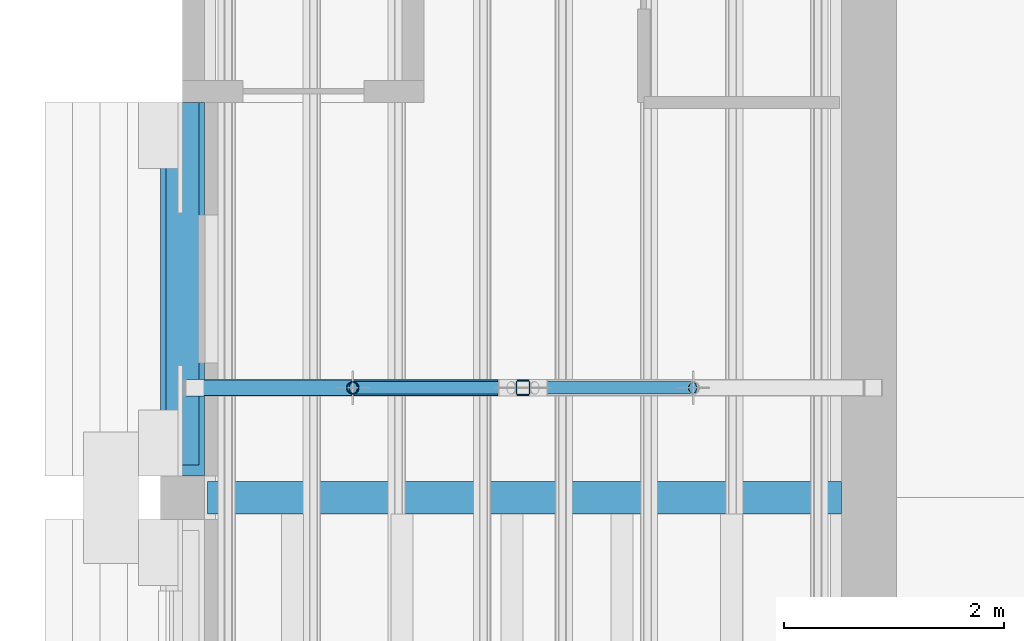
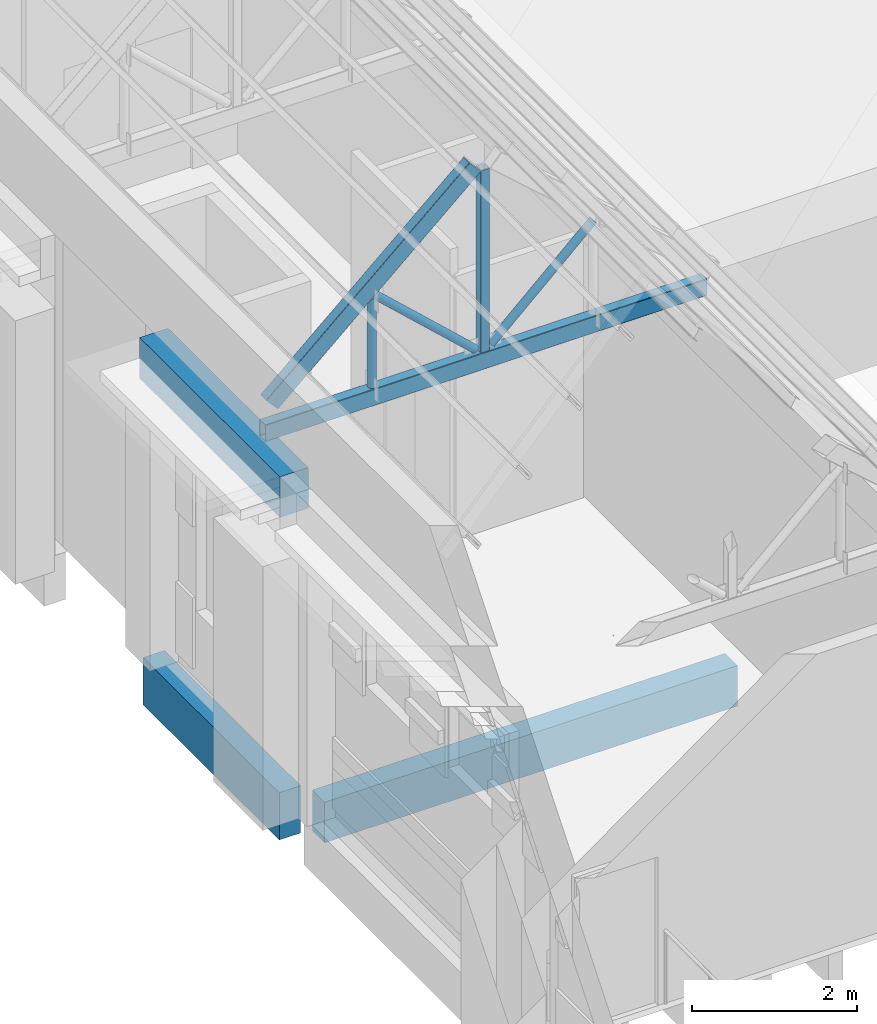
# One storey, part 37 of 118: 6 members, 3 beams.
"""IFC4 building model written with IfcOpenShell, lengths in metres."""

from ifc_helpers import new_model, si_unit, direction, frame, origin, origin_2d, place, context, subcontext, project, spatial, rectangle, hollow_rectangle, hollow_circle, extrude, material, material_profile, profile_set, type_object, element, save


model = new_model("IFC4")

# Units and contexts
model_context = context("Model", 3, precision=1e-05, world=origin(), true_north=direction((0.0, 1.0)))
body_context = subcontext(model_context, "Body", "Model", "MODEL_VIEW")
ifc_project = project(units=[si_unit("LENGTHUNIT", "METRE"), si_unit("AREAUNIT", "SQUARE_METRE"), si_unit("VOLUMEUNIT", "CUBIC_METRE"), si_unit("PLANEANGLEUNIT", "RADIAN"), si_unit("MASSUNIT", "GRAM", prefix="KILO")], contexts=[model_context])

# Site, building, storey
site_placement = place(None, origin())
site = spatial("IfcSite", under=ifc_project, at=site_placement, CompositionType="ELEMENT")
building_placement = place(site_placement, origin())
building = spatial("IfcBuilding", under=site, at=building_placement, Name="Saffron Lane Theatres", CompositionType="ELEMENT")
storey_placement = place(building_placement, frame((0.0, 0.0, 16.5)))
storey = spatial("IfcBuildingStorey", under=building, at=storey_placement, Name="L03", CompositionType="ELEMENT", Elevation=16.5)

# Beams
ifc_material_1 = material(Name="Concrete N40 (40 MPa)", Category="concrete")
ifc_material_profile_1 = material_profile(ifc_material_1, rectangle(XDim=0.300048828125, YDim=0.60009765625, at=origin_2d()))
ifc_profile_set_1 = profile_set([ifc_material_profile_1], Name="Concrete N40 (40 MPa)")
beam_type_1 = type_object("IfcBeamType", Name="RC-BEAM 300x600", PredefinedType="BEAM", material=ifc_profile_set_1)
beam_1_placement = place(storey_placement, frame((12.22509765625, 78.0, -0.550048828125), z_axis=(1.0, 0.0, 0.0), x_axis=(0.0, 1.0, 0.0)))
element("IfcBeam", 1, at=beam_1_placement, inside=storey, type_object=beam_type_1, Name="beam-L03-x780-122", PredefinedType="BEAM", context=body_context, shape_type="SweptSolid", body=[
    extrude(rectangle(XDim=0.300048828125, YDim=0.60009765625, at=origin_2d()), origin(), (0.0, 0.0, 1.0), 5.77490234375),
])
ifc_material_2 = material(Name="Concrete N40 (40 MPa)", Category="concrete")
ifc_material_profile_2 = material_profile(ifc_material_2, rectangle(XDim=0.300048828125, YDim=0.699951171875, at=origin_2d()))
ifc_profile_set_2 = profile_set([ifc_material_profile_2], Name="Concrete N40 (40 MPa)")
beam_type_2 = type_object("IfcBeamType", Name="RC-BEAM 300x700", PredefinedType="BEAM", material=ifc_profile_set_2)
beam_2_placement = place(storey_placement, frame((12.0, 78.300048828125, -0.60009765625), z_axis=(0.0, 1.0, 0.0), x_axis=(-1.0, 0.0, 0.0)))
element("IfcBeam", 2, at=beam_2_placement, inside=storey, type_object=beam_type_2, Name="beam-L03-y120-783", PredefinedType="BEAM", context=body_context, shape_type="SweptSolid", body=[
    extrude(rectangle(XDim=0.300048828125, YDim=0.699951171875, at=origin_2d()), origin(), (0.0, 0.0, 1.0), 3.300048828125),
])
ifc_material_3 = material(Name="Concrete N40 (40 MPa)", Category="concrete")
ifc_material_profile_3 = material_profile(ifc_material_3, rectangle(XDim=0.39990234375, YDim=0.60009765625, at=origin_2d()))
ifc_profile_set_3 = profile_set([ifc_material_profile_3], Name="Concrete N40 (40 MPa)")
beam_type_3 = type_object("IfcBeamType", Name="RC-BEAM 400x600", PredefinedType="BEAM", material=ifc_profile_set_3)
beam_3_placement = place(storey_placement, frame((12.0, 78.199951171875, 4.199951171875), z_axis=(0.0, 1.0, 0.0), x_axis=(-1.0, 0.0, 0.0)))
element("IfcBeam", 3, at=beam_3_placement, inside=storey, type_object=beam_type_3, Name="beam-roof-side-y120-5", PredefinedType="BEAM", context=body_context, shape_type="SweptSolid", body=[
    extrude(rectangle(XDim=0.39990234375, YDim=0.60009765625, at=origin_2d()), origin(), (0.0, 0.0, 1.0), 3.400146484375),
])

# Members
ifc_material_4 = material(Name="Steel Grade 350", Category="steel")
ifc_material_profile_4 = material_profile(ifc_material_4, hollow_rectangle(XDim=0.125, YDim=0.125, WallThickness=0.006103515625, InnerFilletRadius=0.0029296875, OuterFilletRadius=0.009033203125, at=origin_2d()))
ifc_profile_set_4 = profile_set([ifc_material_profile_4], Name="Steel Grade 350")
member_type_1 = type_object("IfcMemberType", Name="ST-STUDIO POST 125x125x6 SHS", PredefinedType="POST", material=ifc_profile_set_4)
member_1_placement = place(storey_placement, frame((15.10009765625, 79.0, 4.75), z_axis=(0.0, 0.0, 1.0), x_axis=(1.0, 0.0, 0.0)))
element("IfcMember", 4, at=member_1_placement, inside=storey, type_object=member_type_1, Name="SB1-P36", PredefinedType="POST", context=body_context, shape_type="SweptSolid", body=[
    extrude(hollow_rectangle(XDim=0.125, YDim=0.125, WallThickness=0.006103515625, InnerFilletRadius=0.0029296875, OuterFilletRadius=0.009033203125, at=origin_2d()), origin(), (0.0, 0.0, 1.0), 2.69287109375),
])
ifc_material_5 = material(Name="Steel Grade 350", Category="steel")
ifc_material_profile_5 = material_profile(ifc_material_5, hollow_rectangle(XDim=0.14990234375, YDim=0.25, WallThickness=0.009033203125, InnerFilletRadius=0.00439453125, OuterFilletRadius=0.013427734375, at=origin_2d()))
ifc_profile_set_5 = profile_set([ifc_material_profile_5], Name="Steel Grade 350")
member_type_2 = type_object("IfcMemberType", Name="ST-STUDIO TRUSS CHORD 250x150x9 RHS", PredefinedType="CHORD", material=ifc_profile_set_5)
member_2_placement = place(storey_placement, frame((12.02001953125, 79.0, 4.625), z_axis=(1.0, 0.0, 0.0), x_axis=(0.0, 1.0, 0.0)))
element("IfcMember", 5, at=member_2_placement, inside=storey, type_object=member_type_2, Name="SB1-T33", PredefinedType="CHORD", context=body_context, shape_type="SweptSolid", body=[
    extrude(hollow_rectangle(XDim=0.14990234375, YDim=0.25, WallThickness=0.009033203125, InnerFilletRadius=0.00439453125, OuterFilletRadius=0.013427734375, at=origin_2d()), origin(), (0.0, 0.0, 1.0), 6.179931640625),
])
member_3_placement = place(storey_placement, frame((12.113037109375, 79.0, 5.01708984375), z_axis=(0.748231613734, 0.0, 0.663437602348), x_axis=(0.0, 1.0, 0.0)))
element("IfcMember", 6, at=member_3_placement, inside=storey, type_object=member_type_2, Name="SB1-C34", PredefinedType="CHORD", context=body_context, shape_type="SweptSolid", body=[
    extrude(hollow_rectangle(XDim=0.14990234375, YDim=0.25, WallThickness=0.009033203125, InnerFilletRadius=0.00439453125, OuterFilletRadius=0.013427734375, at=origin_2d()), origin(), (0.0, 0.0, 1.0), 3.797607421875),
])
ifc_material_6 = material(Name="Steel Grade 350", Category="steel")
ifc_material_profile_6 = material_profile(ifc_material_6, hollow_circle(Radius=0.05712890625, WallThickness=0.006103515625, at=origin_2d()))
ifc_profile_set_6 = profile_set([ifc_material_profile_6], Name="Steel Grade 350")
member_type_3 = type_object("IfcMemberType", Name="ST-STUDIO TRUSS WEB 114.3x6.0 CHS", PredefinedType="BRACE", material=ifc_profile_set_6)
member_4_placement = place(storey_placement, frame((13.550048828125, 79.0, 4.75), z_axis=(0.0, 0.0, 1.0), x_axis=(1.0, 0.0, 0.0)))
element("IfcMember", 7, at=member_4_placement, inside=storey, type_object=member_type_3, Name="SB1-W37", PredefinedType="BRACE", context=body_context, shape_type="SweptSolid", body=[
    extrude(hollow_circle(Radius=0.05712890625, WallThickness=0.006103515625, at=origin_2d()), origin(), (0.0, 0.0, 1.0), 1.323486328125),
])
for number, where, z_axis, x_axis, name in (
    (8, (14.991943359375, 79.0, 4.7919921875), (-0.734492556675, 0.0, 0.678616743228), (0.0, -1.0, 0.0), "SB1-W39"),
    (9, (15.2080078125, 79.0, 4.7919921875), (0.734492556675, 0.0, 0.678616743228), (0.0, 1.0, 0.0), "SB1-W40"),
):
    element("IfcMember", number, at=place(storey_placement, frame(where, z_axis=z_axis, x_axis=x_axis)), inside=storey, type_object=member_type_3, Name=name, PredefinedType="BRACE", context=body_context, shape_type="SweptSolid", body=[
        extrude(hollow_circle(Radius=0.05712890625, WallThickness=0.006103515625, at=origin_2d()), origin(), (0.0, 0.0, 1.0), 1.95751953125),
    ])

save(model, "model.ifc")
